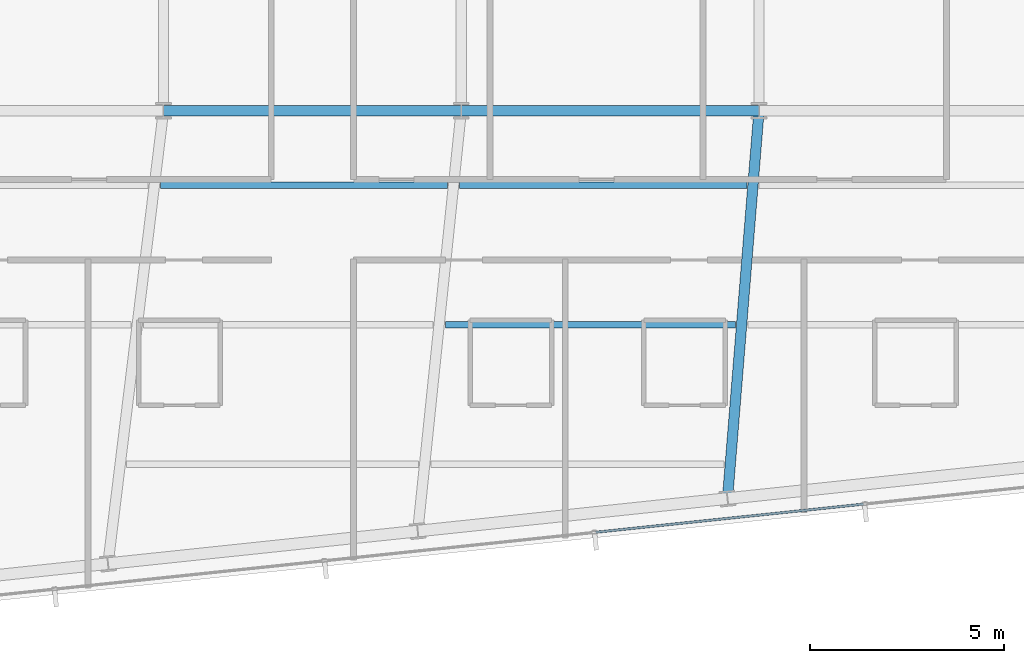
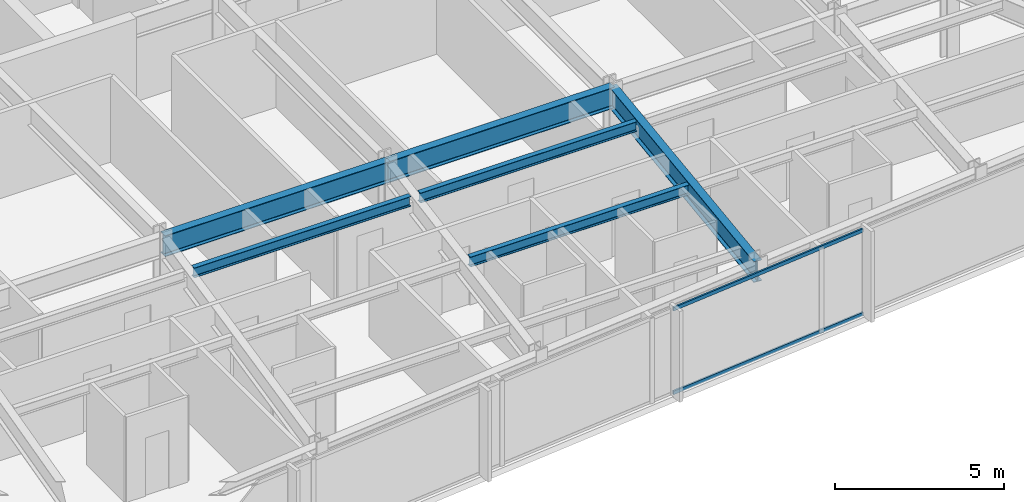
# One storey, part 9 of 33: 6 beams, 2 members, 1 element without a shape of its own.
"""IFC4 building model written with IfcOpenShell, lengths in metres."""

from ifc_helpers import new_model, si_unit, direction, frame, origin, origin_2d, place, context, subcontext, project, spatial, hollow_rectangle, i_section, extrude, material, material_profile, profile_set, type_object, element, aggregate, save


model = new_model("IFC4")

# Units and contexts
model_context = context("Model", 3, precision=1e-05, world=origin(), true_north=direction((0.0, 1.0)))
body_context = subcontext(model_context, "Body", "Model", "MODEL_VIEW")
ifc_project = project(units=[si_unit("LENGTHUNIT", "METRE"), si_unit("AREAUNIT", "SQUARE_METRE"), si_unit("VOLUMEUNIT", "CUBIC_METRE"), si_unit("PLANEANGLEUNIT", "RADIAN"), si_unit("MASSUNIT", "GRAM", prefix="KILO")], contexts=[model_context])

# Site, building, storey
site_placement = place(None, origin())
site = spatial("IfcSite", under=ifc_project, at=site_placement, CompositionType="ELEMENT")
building_placement = place(site_placement, origin())
building = spatial("IfcBuilding", under=site, at=building_placement, Name="Yelkora Congress Tower", CompositionType="ELEMENT")
storey_placement = place(building_placement, frame((0.0, 0.0, 234.199951171875)))
storey = spatial("IfcBuildingStorey", under=building, at=storey_placement, Name="L65", CompositionType="ELEMENT", Elevation=234.199951171875)

# Beams
ifc_material_1 = material(Name="Steel S355J2", Category="steel")
ifc_material_profile_1 = material_profile(ifc_material_1, i_section(OverallWidth=0.26708984375, OverallDepth=0.761962890625, WebThickness=0.014404296875, FlangeThickness=0.021484375, FilletRadius=0.01708984375, at=origin_2d()), Name="IPE 750x173")
ifc_profile_set_1 = profile_set([ifc_material_profile_1], Name="Steel S355J2")
beam_type_1 = type_object("IfcBeamType", Name="BM-GIRD-IPE750", PredefinedType="BEAM", material=ifc_profile_set_1)
beam_1_placement = place(storey_placement, frame((30.719970703125, 25.199951171875, 2.698974609375), z_axis=(1.0, 0.0, 0.0), x_axis=(0.0, 1.0, 0.0)))
element("IfcBeam", 1, at=beam_1_placement, inside=storey, type_object=beam_type_1, Name="L65 Spine Grid D Girder 3", PredefinedType="BEAM", context=body_context, shape_type="SweptSolid", body=[
    extrude(i_section(OverallWidth=0.26708984375, OverallDepth=0.761962890625, WebThickness=0.014404296875, FlangeThickness=0.021484375, FilletRadius=0.01708984375, at=origin_2d()), origin(), (0.0, 0.0, 1.0), 7.679931640625),
])
beam_2_placement = place(storey_placement, frame((38.39990234375, 25.199951171875, 2.698974609375), z_axis=(1.0, 0.0, 0.0), x_axis=(0.0, 1.0, 0.0)))
element("IfcBeam", 2, at=beam_2_placement, inside=storey, type_object=beam_type_1, Name="L65 Spine Grid D Girder 4", PredefinedType="BEAM", context=body_context, shape_type="SweptSolid", body=[
    extrude(i_section(OverallWidth=0.26708984375, OverallDepth=0.761962890625, WebThickness=0.014404296875, FlangeThickness=0.021484375, FilletRadius=0.01708984375, at=origin_2d()), origin(), (0.0, 0.0, 1.0), 7.68017578125),
])
beam_3_placement = place(storey_placement, frame((45.26708984375, 15.197509765625, 2.698974609375), z_axis=(0.081011831965, 0.996713139816, 0.0), x_axis=(-0.996713139816, 0.081011831965, 0.0)))
element("IfcBeam", 3, at=beam_3_placement, inside=storey, type_object=beam_type_1, Name="L65 Primary Frame Girder S04", PredefinedType="BEAM", context=body_context, shape_type="SweptSolid", body=[
    extrude(i_section(OverallWidth=0.26708984375, OverallDepth=0.761962890625, WebThickness=0.014404296875, FlangeThickness=0.021484375, FilletRadius=0.01708984375, at=origin_2d()), origin(), (0.0, 0.0, 1.0), 10.035400390625),
])
ifc_material_profile_2 = material_profile(ifc_material_1, i_section(OverallWidth=0.169921875, OverallDepth=0.360107421875, WebThickness=0.008056640625, FlangeThickness=0.0126953125, FilletRadius=0.01806640625, at=origin_2d()), Name="IPE 360")
ifc_profile_set_2 = profile_set([ifc_material_profile_2], Name="Steel S355J2")
beam_type_2 = type_object("IfcBeamType", Name="BM-JOIST-IPE360", PredefinedType="JOIST", material=ifc_profile_set_2)
beam_4_placement = place(storey_placement, frame((37.988525390625, 19.678466796875, 2.900146484375), z_axis=(1.0, 0.0, 0.0), x_axis=(0.0, 1.0, 0.0)))
element("IfcBeam", 4, at=beam_4_placement, inside=storey, type_object=beam_type_2, Name="L65 Composite Floor Joist 5", PredefinedType="JOIST", context=body_context, shape_type="SweptSolid", body=[
    extrude(i_section(OverallWidth=0.169921875, OverallDepth=0.360107421875, WebThickness=0.008056640625, FlangeThickness=0.0126953125, FilletRadius=0.01806640625, at=origin_2d()), origin(), (0.0, 0.0, 1.0), 7.482666015625),
])
beam_5_placement = place(storey_placement, frame((30.64453125, 23.278564453125, 2.900146484375), z_axis=(1.0, 0.0, 0.0), x_axis=(0.0, 1.0, 0.0)))
element("IfcBeam", 5, at=beam_5_placement, inside=storey, type_object=beam_type_2, Name="L65 Composite Floor Joist 10", PredefinedType="JOIST", context=body_context, shape_type="SweptSolid", body=[
    extrude(i_section(OverallWidth=0.169921875, OverallDepth=0.360107421875, WebThickness=0.008056640625, FlangeThickness=0.0126953125, FilletRadius=0.01806640625, at=origin_2d()), origin(), (0.0, 0.0, 1.0), 7.396484375),
])
beam_6_placement = place(storey_placement, frame((38.361083984375, 23.278564453125, 2.900146484375), z_axis=(1.0, 0.0, 0.0), x_axis=(0.0, 1.0, 0.0)))
element("IfcBeam", 6, at=beam_6_placement, inside=storey, type_object=beam_type_2, Name="L65 Composite Floor Joist 11", PredefinedType="JOIST", context=body_context, shape_type="SweptSolid", body=[
    extrude(i_section(OverallWidth=0.169921875, OverallDepth=0.360107421875, WebThickness=0.008056640625, FlangeThickness=0.0126953125, FilletRadius=0.01806640625, at=origin_2d()), origin(), (0.0, 0.0, 1.0), 7.40283203125),
])

# Curtain wall, members
ifc_material_2 = material(Name="Anodised aluminium and insulated glass", Category="aluminium")
curtain_wall_type = type_object("IfcCurtainWallType", Name="CW-SYS-B4", PredefinedType="NOTDEFINED", material=ifc_material_2)
curtain_wall_placement = place(storey_placement, origin())
curtain_wall = element("IfcCurtainWall", 7, at=curtain_wall_placement, inside=storey, type_object=curtain_wall_type, Name="L65 Unitised Curtain Wall 20", PredefinedType="NOTDEFINED")
ifc_material_3 = material(Name="Anodised aluminium 6063-T6", Category="aluminium")
ifc_material_profile_3 = material_profile(ifc_material_3, hollow_rectangle(XDim=0.06005859375, YDim=0.1298828125, WallThickness=0.00390625, at=origin_2d()), Name="ALU 60x130x4")
ifc_profile_set_3 = profile_set([ifc_material_profile_3], Name="Anodised aluminium 6063-T6")
member_type = type_object("IfcMemberType", Name="MEM-TR-B4", PredefinedType="USERDEFINED", material=ifc_profile_set_3)
member_1_placement = place(storey_placement, frame((48.770263671875, 15.052978515625, 0.030029296875), z_axis=(-0.99452356298, -0.104512595784, 0.0), x_axis=(0.104512595784, -0.99452356298, 0.0)))
member_1 = element("IfcMember", 8, at=member_1_placement, type_object=member_type, Name="CW-B4 transom 4.1", ObjectType="TRANSOM", PredefinedType="USERDEFINED", context=body_context, shape_type="SweptSolid", body=[
    extrude(hollow_rectangle(XDim=0.06005859375, YDim=0.1298828125, WallThickness=0.00390625, at=origin_2d()), origin(), (0.0, 0.0, 1.0), 6.93798828125),
])
member_2_placement = place(storey_placement, frame((48.770263671875, 15.052978515625, 3.050048828125), z_axis=(-0.99452356298, -0.104512595784, 0.0), x_axis=(0.104512595784, -0.99452356298, 0.0)))
member_2 = element("IfcMember", 9, at=member_2_placement, type_object=member_type, Name="CW-B4 transom 4.2", ObjectType="TRANSOM", PredefinedType="USERDEFINED", context=body_context, shape_type="SweptSolid", body=[
    extrude(hollow_rectangle(XDim=0.06005859375, YDim=0.1298828125, WallThickness=0.00390625, at=origin_2d()), origin(), (0.0, 0.0, 1.0), 6.93798828125),
])
aggregate(curtain_wall, [member_1, member_2])

save(model, "model.ifc")
